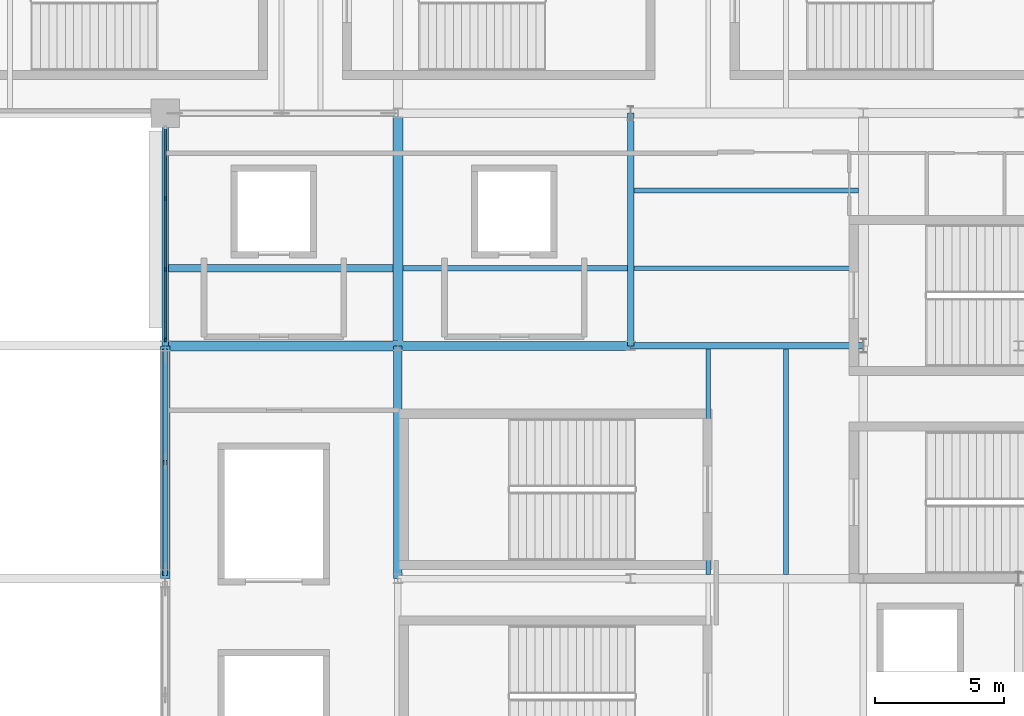
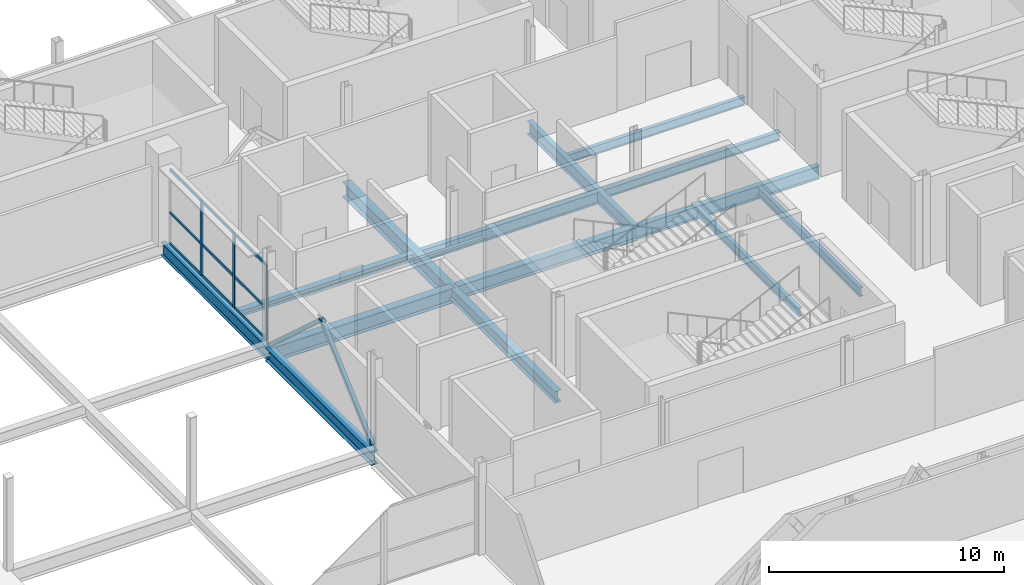
# One storey, part 150 of 224: 14 beams, 14 members, 1 element without a shape of its own.
"""IFC4 building model written with IfcOpenShell, lengths in metres."""

from ifc_helpers import new_model, si_unit, direction, frame, origin, origin_2d, place, context, subcontext, project, spatial, rectangle, hollow_rectangle, i_section, extrude, material, layer, layer_set, material_profile, profile_set, type_object, element, aggregate, save


model = new_model("IFC4")

# Units and contexts
model_context = context("Model", 3, precision=1e-05, world=origin(), true_north=direction((0.0, 1.0)))
body_context = subcontext(model_context, "Body", "Model", "MODEL_VIEW")
ifc_project = project(units=[si_unit("LENGTHUNIT", "METRE"), si_unit("AREAUNIT", "SQUARE_METRE"), si_unit("VOLUMEUNIT", "CUBIC_METRE"), si_unit("PLANEANGLEUNIT", "RADIAN"), si_unit("MASSUNIT", "GRAM", prefix="KILO")], contexts=[model_context])

# Site, building, storey
site_placement = place(None, origin())
site = spatial("IfcSite", under=ifc_project, at=site_placement, CompositionType="ELEMENT")
building_placement = place(site_placement, origin())
building = spatial("IfcBuilding", under=site, at=building_placement, Name="Qamarlyn Nura Convention Centre", CompositionType="ELEMENT")
storey_placement = place(building_placement, frame((0.0, 0.0, 10.800048828125)))
storey = spatial("IfcBuildingStorey", under=building, at=storey_placement, Name="L02", CompositionType="ELEMENT", Elevation=10.800048828125)

# Beams
ifc_material_1 = material(Name="Steel ASTM A992", Category="steel")
ifc_material_profile_1 = material_profile(ifc_material_1, i_section(OverallWidth=0.323974609375, OverallDepth=0.611083984375, WebThickness=0.0126953125, FlangeThickness=0.01904296875, FilletRadius=0.01611328125, at=origin_2d()), Name="W610X155")
ifc_profile_set_1 = profile_set([ifc_material_profile_1], Name="Steel ASTM A992")
beam_type_1 = type_object("IfcBeamType", Name="BM-GIRD-610", PredefinedType="BEAM", material=ifc_profile_set_1)
beam_1_placement = place(storey_placement, frame((162.0, 63.0, -0.525634765625), z_axis=(0.0, 1.0, 0.0), x_axis=(-1.0, 0.0, 0.0)))
element("IfcBeam", 1, at=beam_1_placement, inside=storey, type_object=beam_type_1, Name="L02 girder 14 H-J", PredefinedType="BEAM", context=body_context, shape_type="SweptSolid", body=[
    extrude(i_section(OverallWidth=0.323974609375, OverallDepth=0.611083984375, WebThickness=0.0126953125, FlangeThickness=0.01904296875, FilletRadius=0.01611328125, at=origin_2d()), origin(), (0.0, 0.0, 1.0), 9.0),
])
ifc_material_profile_2 = material_profile(ifc_material_1, i_section(OverallWidth=0.35498046875, OverallDepth=0.695068359375, WebThickness=0.015380859375, FlangeThickness=0.02490234375, FilletRadius=0.01806640625, at=origin_2d()), Name="W690X217")
ifc_profile_set_2 = profile_set([ifc_material_profile_2], Name="Steel ASTM A992")
beam_type_2 = type_object("IfcBeamType", Name="BM-GIRD-690A", PredefinedType="BEAM", material=ifc_profile_set_2)
for number, where, z_axis, x_axis, name in (
    (2, (162.0, 72.0, -0.567626953125), (1.0, 0.0, 0.0), (0.0, 1.0, 0.0), "L02 girder J 14-15"),
    (3, (153.0, 63.0, -0.567626953125), (0.0, 1.0, 0.0), (-1.0, 0.0, 0.0), "L02 girder 13 H-J"),
):
    element("IfcBeam", number, at=place(storey_placement, frame(where, z_axis=z_axis, x_axis=x_axis)), inside=storey, type_object=beam_type_2, Name=name, PredefinedType="BEAM", context=body_context, shape_type="SweptSolid", body=[
        extrude(i_section(OverallWidth=0.35498046875, OverallDepth=0.695068359375, WebThickness=0.015380859375, FlangeThickness=0.02490234375, FilletRadius=0.01806640625, at=origin_2d()), origin(), (0.0, 0.0, 1.0), 9.0),
    ])
ifc_material_profile_3 = material_profile(ifc_material_1, i_section(OverallWidth=0.25390625, OverallDepth=0.68408203125, WebThickness=0.012451171875, FlangeThickness=0.01904296875, FilletRadius=0.01806640625, at=origin_2d()), Name="W690X140")
ifc_profile_set_3 = profile_set([ifc_material_profile_3], Name="Steel ASTM A992")
beam_type_3 = type_object("IfcBeamType", Name="BM-GIRD-690B", PredefinedType="BEAM", material=ifc_profile_set_3)
for number, where, z_axis, x_axis, name in (
    (4, (171.0, 72.0, -0.56201171875), (1.0, 0.0, 0.0), (0.0, 1.0, 0.0), "L02 girder J 15-16"),
    (5, (153.0, 72.0, -0.56201171875), (0.0, 1.0, 0.0), (-1.0, 0.0, 0.0), "L02 girder 13 J-K"),
    (6, (171.0, 72.0, -0.56201171875), (0.0, 1.0, 0.0), (-1.0, 0.0, 0.0), "L02 girder 15 J-K"),
):
    element("IfcBeam", number, at=place(storey_placement, frame(where, z_axis=z_axis, x_axis=x_axis)), inside=storey, type_object=beam_type_3, Name=name, PredefinedType="BEAM", context=body_context, shape_type="SweptSolid", body=[
        extrude(i_section(OverallWidth=0.25390625, OverallDepth=0.68408203125, WebThickness=0.012451171875, FlangeThickness=0.01904296875, FilletRadius=0.01806640625, at=origin_2d()), origin(), (0.0, 0.0, 1.0), 9.0),
    ])
ifc_material_profile_4 = material_profile(ifc_material_1, i_section(OverallWidth=0.381103515625, OverallDepth=0.77294921875, WebThickness=0.0166015625, FlangeThickness=0.027587890625, FilletRadius=0.02001953125, at=origin_2d()), Name="W760X257")
ifc_profile_set_4 = profile_set([ifc_material_profile_4], Name="Steel ASTM A992")
beam_type_4 = type_object("IfcBeamType", Name="BM-GIRD-760", PredefinedType="BEAM", material=ifc_profile_set_4)
for number, where, z_axis, x_axis, name in (
    (7, (153.0, 72.0, -0.6064453125), (1.0, 0.0, 0.0), (0.0, 1.0, 0.0), "L02 girder J 13-14"),
    (8, (162.0, 72.0, -0.6064453125), (0.0, 1.0, 0.0), (-1.0, 0.0, 0.0), "L02 girder 14 J-K"),
):
    element("IfcBeam", number, at=place(storey_placement, frame(where, z_axis=z_axis, x_axis=x_axis)), inside=storey, type_object=beam_type_4, Name=name, PredefinedType="BEAM", context=body_context, shape_type="SweptSolid", body=[
        extrude(i_section(OverallWidth=0.381103515625, OverallDepth=0.77294921875, WebThickness=0.0166015625, FlangeThickness=0.027587890625, FilletRadius=0.02001953125, at=origin_2d()), origin(), (0.0, 0.0, 1.0), 9.0),
    ])
ifc_material_profile_5 = material_profile(ifc_material_1, i_section(OverallWidth=0.304931640625, OverallDepth=0.30810546875, WebThickness=0.010009765625, FlangeThickness=0.015380859375, FilletRadius=0.014892578125, at=origin_2d()), Name="W310X97")
ifc_profile_set_5 = profile_set([ifc_material_profile_5], Name="Steel ASTM A992")
beam_type_5 = type_object("IfcBeamType", Name="BM-JOIST-310", PredefinedType="JOIST", material=ifc_profile_set_5)
beam_2_placement = place(storey_placement, frame((153.126953125, 75.0, -0.3740234375), z_axis=(1.0, 0.0, 0.0), x_axis=(0.0, 1.0, 0.0)))
element("IfcBeam", 9, at=beam_2_placement, inside=storey, type_object=beam_type_5, Name="L02 composite joist 13-14/J+1", PredefinedType="JOIST", context=body_context, shape_type="SweptSolid", body=[
    extrude(i_section(OverallWidth=0.304931640625, OverallDepth=0.30810546875, WebThickness=0.010009765625, FlangeThickness=0.015380859375, FilletRadius=0.014892578125, at=origin_2d()), origin(), (0.0, 0.0, 1.0), 8.6826171875),
])
ifc_material_profile_6 = material_profile(ifc_material_1, i_section(OverallWidth=0.18994140625, OverallDepth=0.45703125, WebThickness=0.009033203125, FlangeThickness=0.014404296875, FilletRadius=0.012939453125, at=origin_2d()), Name="W460X74")
ifc_profile_set_6 = profile_set([ifc_material_profile_6], Name="Steel ASTM A992")
beam_type_6 = type_object("IfcBeamType", Name="BM-JOIST-460", PredefinedType="JOIST", material=ifc_profile_set_6)
for number, where, z_axis, x_axis, name in (
    (10, (171.126953125, 75.0, -0.448486328125), (1.0, 0.0, 0.0), (0.0, 1.0, 0.0), "L02 composite joist 15-16/J+1"),
    (11, (171.126953125, 78.0, -0.448486328125), (1.0, 0.0, 0.0), (0.0, 1.0, 0.0), "L02 composite joist 15-16/J+2"),
):
    element("IfcBeam", number, at=place(storey_placement, frame(where, z_axis=z_axis, x_axis=x_axis)), inside=storey, type_object=beam_type_6, Name=name, PredefinedType="JOIST", context=body_context, shape_type="SweptSolid", body=[
        extrude(i_section(OverallWidth=0.18994140625, OverallDepth=0.45703125, WebThickness=0.009033203125, FlangeThickness=0.014404296875, FilletRadius=0.012939453125, at=origin_2d()), origin(), (0.0, 0.0, 1.0), 8.6826171875),
    ])
for number, where, z_axis, x_axis, name in (
    (12, (174.0, 63.162109375, -0.448486328125), (0.0, 1.0, 0.0), (-1.0, 0.0, 0.0), "L02 secondary joist 15-16/H-J-29"),
    (13, (177.0, 63.162109375, -0.448486328125), (0.0, 1.0, 0.0), (-1.0, 0.0, 0.0), "L02 secondary joist 15-16/H-J-30"),
):
    element("IfcBeam", number, at=place(storey_placement, frame(where, z_axis=z_axis, x_axis=x_axis)), inside=storey, type_object=beam_type_6, Name=name, PredefinedType="JOIST", context=body_context, shape_type="SweptSolid", body=[
        extrude(i_section(OverallWidth=0.18994140625, OverallDepth=0.45703125, WebThickness=0.009033203125, FlangeThickness=0.014404296875, FilletRadius=0.012939453125, at=origin_2d()), origin(), (0.0, 0.0, 1.0), 8.7109375),
    ])
ifc_material_profile_7 = material_profile(ifc_material_1, i_section(OverallWidth=0.22802734375, OverallDepth=0.60791015625, WebThickness=0.01123046875, FlangeThickness=0.017333984375, FilletRadius=0.01611328125, at=origin_2d()), Name="W610X113")
ifc_profile_set_7 = profile_set([ifc_material_profile_7], Name="Steel ASTM A992")
beam_type_7 = type_object("IfcBeamType", Name="BM-JOIST-610", PredefinedType="JOIST", material=ifc_profile_set_7)
beam_3_placement = place(storey_placement, frame((162.1904296875, 75.0, -0.524169921875), z_axis=(1.0, 0.0, 0.0), x_axis=(0.0, 1.0, 0.0)))
element("IfcBeam", 14, at=beam_3_placement, inside=storey, type_object=beam_type_7, Name="L02 composite joist 14-15/J+1", PredefinedType="JOIST", context=body_context, shape_type="SweptSolid", body=[
    extrude(i_section(OverallWidth=0.22802734375, OverallDepth=0.60791015625, WebThickness=0.01123046875, FlangeThickness=0.017333984375, FilletRadius=0.01611328125, at=origin_2d()), origin(), (0.0, 0.0, 1.0), 8.6826171875),
])

# Members
ifc_material_2 = material(Name="Steel ASTM A500 Grade C", Category="steel")
ifc_material_profile_8 = material_profile(ifc_material_2, hollow_rectangle(XDim=0.199951171875, YDim=0.199951171875, WallThickness=0.010009765625, InnerFilletRadius=0.010009765625, OuterFilletRadius=0.02001953125, at=origin_2d()), Name="HSS200X200X10")
ifc_profile_set_8 = profile_set([ifc_material_profile_8], Name="Steel ASTM A500 Grade C")
member_type_1 = type_object("IfcMemberType", Name="CBF-BRC-200", PredefinedType="BRACE", material=ifc_profile_set_8)
for number, where, z_axis, x_axis, name in (
    (15, (153.0, 63.179931640625, 0.0), (0.0, 0.741843596091, 0.670572948261), (-1.0, 0.0, 0.0), "L02 SCBF chevron brace CBF-E2L"),
    (16, (153.0, 71.820068359375, 0.0), (0.0, -0.741843596091, 0.670572948261), (1.0, 0.0, 0.0), "L02 SCBF chevron brace CBF-E2R"),
):
    element("IfcMember", number, at=place(storey_placement, frame(where, z_axis=z_axis, x_axis=x_axis)), inside=storey, type_object=member_type_1, Name=name, PredefinedType="BRACE", context=body_context, shape_type="SweptSolid", body=[
        extrude(hollow_rectangle(XDim=0.199951171875, YDim=0.199951171875, WallThickness=0.010009765625, InnerFilletRadius=0.010009765625, OuterFilletRadius=0.02001953125, at=origin_2d()), origin(), (0.0, 0.0, 1.0), 5.823486328125),
    ])

# Curtain wall, members
ifc_material_3 = material(Name="Double-silver low-E insulated glass", Category="glass")
ifc_layer = layer(ifc_material_3, 0.179931640625, Name="CW-UNIT-100")
ifc_layer_set = layer_set([ifc_layer], Name="Double-silver low-E insulated glass")
curtain_wall_type = type_object("IfcCurtainWallType", Name="CW-UNIT-100", PredefinedType="NOTDEFINED", material=ifc_layer_set)
curtain_wall_placement = place(storey_placement, origin())
curtain_wall = element("IfcCurtainWall", 17, at=curtain_wall_placement, inside=storey, type_object=curtain_wall_type, Name="L02 unitised curtain wall CRT-72-1", PredefinedType="NOTDEFINED")
ifc_material_4 = material(Name="Champagne-anodised marine aluminium", Category="aluminium")
ifc_material_profile_9 = material_profile(ifc_material_4, rectangle(XDim=0.070068359375, YDim=0.179931640625, at=origin_2d()), Name="ALU MULLION 70x180")
ifc_profile_set_9 = profile_set([ifc_material_profile_9], Name="Champagne-anodised marine aluminium")
member_type_2 = type_object("IfcMemberType", Name="CWM-180", PredefinedType="MULLION", material=ifc_profile_set_9)
member_1_placement = place(storey_placement, frame((153.0, 72.24755859375, 0.0), z_axis=(0.0, 0.0, 1.0), x_axis=(-1.0, 0.0, 0.0)))
member_1 = element("IfcMember", 18, at=member_1_placement, type_object=member_type_2, Name="CW100 mullion 1", PredefinedType="MULLION", context=body_context, shape_type="SweptSolid", body=[
    extrude(rectangle(XDim=0.070068359375, YDim=0.179931640625, at=origin_2d()), origin(), (0.0, 0.0, 1.0), 3.90087890625),
])
member_2_placement = place(storey_placement, frame((153.0, 74.958251953125, 0.0), z_axis=(0.0, 0.0, 1.0), x_axis=(-1.0, 0.0, 0.0)))
member_2 = element("IfcMember", 19, at=member_2_placement, type_object=member_type_2, Name="CW100 mullion 2", PredefinedType="MULLION", context=body_context, shape_type="SweptSolid", body=[
    extrude(rectangle(XDim=0.070068359375, YDim=0.179931640625, at=origin_2d()), origin(), (0.0, 0.0, 1.0), 3.90087890625),
])
member_3_placement = place(storey_placement, frame((153.0, 77.7041015625, 0.0), z_axis=(0.0, 0.0, 1.0), x_axis=(-1.0, 0.0, 0.0)))
member_3 = element("IfcMember", 20, at=member_3_placement, type_object=member_type_2, Name="CW100 mullion 3", PredefinedType="MULLION", context=body_context, shape_type="SweptSolid", body=[
    extrude(rectangle(XDim=0.070068359375, YDim=0.179931640625, at=origin_2d()), origin(), (0.0, 0.0, 1.0), 3.90087890625),
])
ifc_material_profile_10 = material_profile(ifc_material_4, rectangle(XDim=0.070068359375, YDim=0.139892578125, at=origin_2d()), Name="ALU TRANSOM 70x140")
ifc_profile_set_10 = profile_set([ifc_material_profile_10], Name="Champagne-anodised marine aluminium")
member_type_3 = type_object("IfcMemberType", Name="CWT-140", PredefinedType="USERDEFINED", material=ifc_profile_set_10)
member_4_placement = place(storey_placement, frame((153.0, 72.282470703125, 0.034912109375), z_axis=(0.0, 1.0, 0.0), x_axis=(-1.0, 0.0, 0.0)))
member_4 = element("IfcMember", 21, at=member_4_placement, type_object=member_type_3, Name="CW100 transom 1.1", ObjectType="TRANSOM", PredefinedType="USERDEFINED", context=body_context, shape_type="SweptSolid", body=[
    extrude(rectangle(XDim=0.070068359375, YDim=0.139892578125, at=origin_2d()), origin(), (0.0, 0.0, 1.0), 2.640869140625),
])
member_5_placement = place(storey_placement, frame((153.0, 72.282470703125, 1.637939453125), z_axis=(0.0, 1.0, 0.0), x_axis=(-1.0, 0.0, 0.0)))
member_5 = element("IfcMember", 22, at=member_5_placement, type_object=member_type_3, Name="CW100 transom 1.2", ObjectType="TRANSOM", PredefinedType="USERDEFINED", context=body_context, shape_type="SweptSolid", body=[
    extrude(rectangle(XDim=0.070068359375, YDim=0.139892578125, at=origin_2d()), origin(), (0.0, 0.0, 1.0), 2.640869140625),
])
member_6_placement = place(storey_placement, frame((153.0, 72.282470703125, 3.865966796875), z_axis=(0.0, 1.0, 0.0), x_axis=(-1.0, 0.0, 0.0)))
member_6 = element("IfcMember", 23, at=member_6_placement, type_object=member_type_3, Name="CW100 transom 1.3", ObjectType="TRANSOM", PredefinedType="USERDEFINED", context=body_context, shape_type="SweptSolid", body=[
    extrude(rectangle(XDim=0.070068359375, YDim=0.139892578125, at=origin_2d()), origin(), (0.0, 0.0, 1.0), 2.640869140625),
])
member_7_placement = place(storey_placement, frame((153.0, 74.993408203125, 0.034912109375), z_axis=(0.0, 1.0, 0.0), x_axis=(-1.0, 0.0, 0.0)))
member_7 = element("IfcMember", 24, at=member_7_placement, type_object=member_type_3, Name="CW100 transom 2.1", ObjectType="TRANSOM", PredefinedType="USERDEFINED", context=body_context, shape_type="SweptSolid", body=[
    extrude(rectangle(XDim=0.070068359375, YDim=0.139892578125, at=origin_2d()), origin(), (0.0, 0.0, 1.0), 2.67578125),
])
member_8_placement = place(storey_placement, frame((153.0, 74.993408203125, 1.637939453125), z_axis=(0.0, 1.0, 0.0), x_axis=(-1.0, 0.0, 0.0)))
member_8 = element("IfcMember", 25, at=member_8_placement, type_object=member_type_3, Name="CW100 transom 2.2", ObjectType="TRANSOM", PredefinedType="USERDEFINED", context=body_context, shape_type="SweptSolid", body=[
    extrude(rectangle(XDim=0.070068359375, YDim=0.139892578125, at=origin_2d()), origin(), (0.0, 0.0, 1.0), 2.67578125),
])
member_9_placement = place(storey_placement, frame((153.0, 74.993408203125, 3.865966796875), z_axis=(0.0, 1.0, 0.0), x_axis=(-1.0, 0.0, 0.0)))
member_9 = element("IfcMember", 26, at=member_9_placement, type_object=member_type_3, Name="CW100 transom 2.3", ObjectType="TRANSOM", PredefinedType="USERDEFINED", context=body_context, shape_type="SweptSolid", body=[
    extrude(rectangle(XDim=0.070068359375, YDim=0.139892578125, at=origin_2d()), origin(), (0.0, 0.0, 1.0), 2.67578125),
])
member_10_placement = place(storey_placement, frame((153.0, 77.7392578125, 0.034912109375), z_axis=(0.0, 1.0, 0.0), x_axis=(-1.0, 0.0, 0.0)))
member_10 = element("IfcMember", 27, at=member_10_placement, type_object=member_type_3, Name="CW100 transom 3.1", ObjectType="TRANSOM", PredefinedType="USERDEFINED", context=body_context, shape_type="SweptSolid", body=[
    extrude(rectangle(XDim=0.070068359375, YDim=0.139892578125, at=origin_2d()), origin(), (0.0, 0.0, 1.0), 2.640625),
])
member_11_placement = place(storey_placement, frame((153.0, 77.7392578125, 1.637939453125), z_axis=(0.0, 1.0, 0.0), x_axis=(-1.0, 0.0, 0.0)))
member_11 = element("IfcMember", 28, at=member_11_placement, type_object=member_type_3, Name="CW100 transom 3.2", ObjectType="TRANSOM", PredefinedType="USERDEFINED", context=body_context, shape_type="SweptSolid", body=[
    extrude(rectangle(XDim=0.070068359375, YDim=0.139892578125, at=origin_2d()), origin(), (0.0, 0.0, 1.0), 2.640625),
])
member_12_placement = place(storey_placement, frame((153.0, 77.7392578125, 3.865966796875), z_axis=(0.0, 1.0, 0.0), x_axis=(-1.0, 0.0, 0.0)))
member_12 = element("IfcMember", 29, at=member_12_placement, type_object=member_type_3, Name="CW100 transom 3.3", ObjectType="TRANSOM", PredefinedType="USERDEFINED", context=body_context, shape_type="SweptSolid", body=[
    extrude(rectangle(XDim=0.070068359375, YDim=0.139892578125, at=origin_2d()), origin(), (0.0, 0.0, 1.0), 2.640625),
])
aggregate(curtain_wall, [member_1, member_2, member_3, member_4, member_5, member_6, member_7, member_8, member_9, member_10, member_11, member_12])

save(model, "model.ifc")
